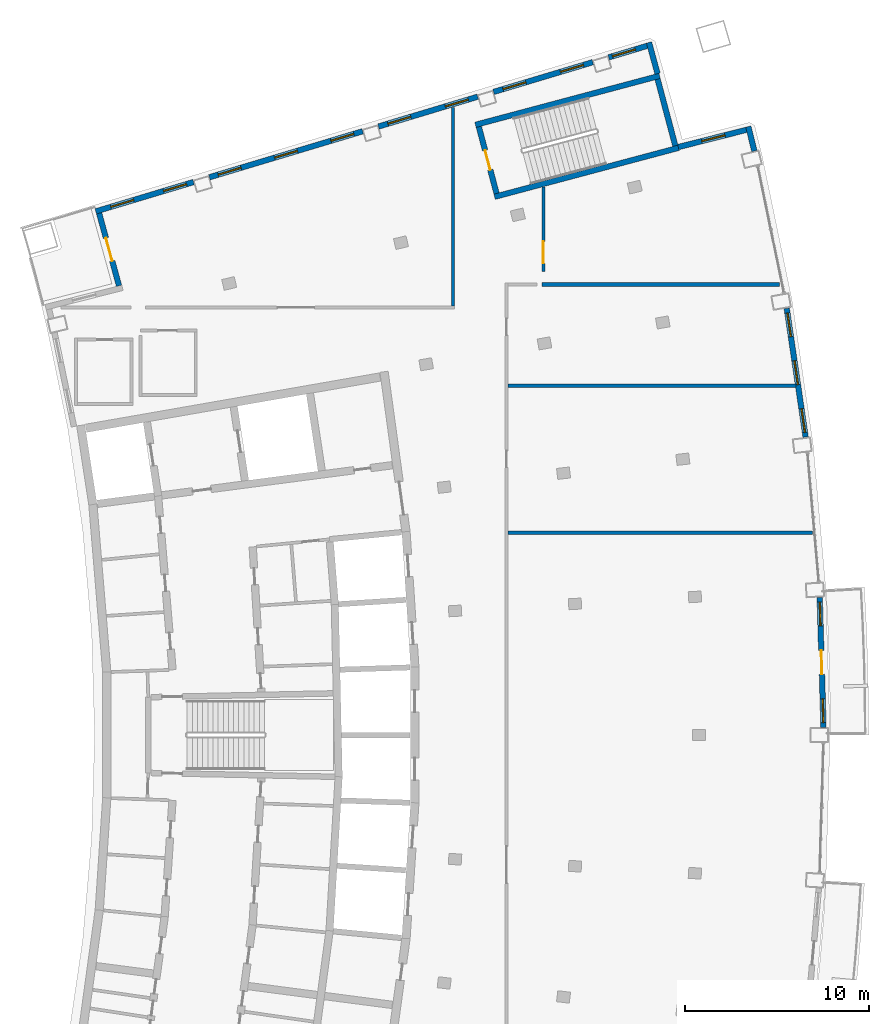
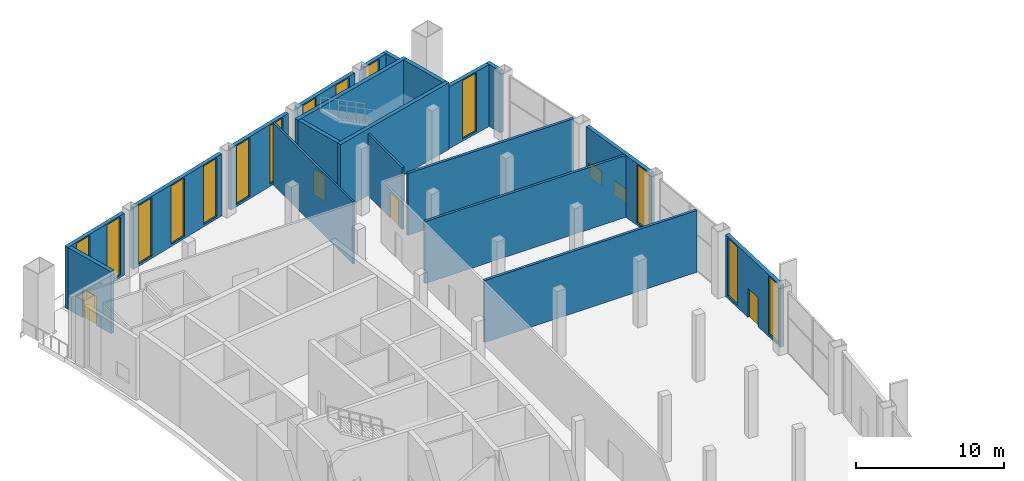
# One storey, part 10 of 13: 20 walls, 16 windows, 4 doors, 20 openings.
"""IFC4 building model written with IfcOpenShell, lengths in metres."""

from ifc_helpers import new_model, si_unit, direction, frame, frame_2d, origin, place, context, subcontext, project, spatial, rectangle, extrude, material, layer, layer_set, type_object, element, fill, save


model = new_model("IFC4")

# Units and contexts
model_context = context("Model", 3, precision=1e-05, world=origin(), true_north=direction((0.0, 1.0)))
body_context = subcontext(model_context, "Body", "Model", "MODEL_VIEW")
ifc_project = project(units=[si_unit("LENGTHUNIT", "METRE"), si_unit("AREAUNIT", "SQUARE_METRE"), si_unit("VOLUMEUNIT", "CUBIC_METRE"), si_unit("PLANEANGLEUNIT", "RADIAN"), si_unit("MASSUNIT", "GRAM", prefix="KILO")], contexts=[model_context])

# Site, building, storey
site_placement = place(None, origin())
site = spatial("IfcSite", under=ifc_project, at=site_placement, CompositionType="ELEMENT")
building_placement = place(site_placement, origin())
building = spatial("IfcBuilding", under=site, at=building_placement, Name="Alderwake Tower", CompositionType="ELEMENT")
storey_placement = place(building_placement, frame((0.0, 0.0, 304.5)))
storey = spatial("IfcBuildingStorey", under=building, at=storey_placement, Name="L74", CompositionType="ELEMENT", Elevation=304.5)

# Walls
ifc_material_1 = material(Name="Concrete C70/85", Category="concrete")
ifc_layer_1 = layer(ifc_material_1, 0.300048828125)
ifc_layer_set_1 = layer_set([ifc_layer_1], Name="Core wall stair enclosure 300 C70-85")
wall_type_1 = type_object("IfcWallType", Name="Core wall stair enclosure 300 C70-85", PredefinedType="SHEAR", material=ifc_layer_set_1)
for number, where, z_axis, x_axis, name in (
    (1, (36.71142578125, 94.182373046875, 0.0), (0.0, 0.0, 1.0), (0.966309214305, 0.257383958996, 0.0), "Core wall CW.082"),
    (2, (37.75390625, 90.268798828125, 0.0), (0.0, 0.0, 1.0), (0.966309214305, 0.257383958996, 0.0), "Core wall CW.084"),
):
    element("IfcWall", number, at=place(storey_placement, frame(where, z_axis=z_axis, x_axis=x_axis)), inside=storey, type_object=wall_type_1, Name=name, PredefinedType="SHEAR", context=body_context, shape_type="SweptSolid", body=[
        extrude(rectangle(XDim=10.360107421875, YDim=0.300048828125, at=frame_2d((5.18017578125, 0.0))), origin(), (0.0, 0.0, 1.0), 5.5),
    ])

# Wall, opening, door
wall_1_placement = place(storey_placement, frame((37.8603515625, 90.452392578125, 0.0), z_axis=(0.0, 0.0, 1.0), x_axis=(-0.257411420208, 0.966301899381, 0.0)))
wall_1 = element("IfcWall", 3, at=wall_1_placement, inside=storey, type_object=wall_type_1, Name="Core wall CW.083", PredefinedType="SHEAR", context=body_context, shape_type="SweptSolid", body=[
    extrude(rectangle(XDim=3.750244140625, YDim=0.300048828125, at=frame_2d((1.875, 0.0))), origin(), (0.0, 0.0, 1.0), 5.5),
])
opening_1_placement = place(wall_1_placement, frame((1.324951171875, 0.0, 0.0)))
opening_1 = element("IfcOpeningElement", 4, at=opening_1_placement, cuts=wall_1, Name="Opening C062", PredefinedType="OPENING", context=body_context, shape_type="SweptSolid", body=[
    extrude(rectangle(XDim=1.10009765625, YDim=2.10009765625, at=frame_2d((0.550048828125, 1.050048828125))), frame((0.0, 0.159912109375, 0.0), z_axis=(0.0, -1.0, 0.0), x_axis=(1.0, 0.0, 0.0)), (0.0, 0.0, 1.0), 0.320068359375),
])
ifc_material_2 = material(Name="Steel-framed fire door leaf", Category="steel")
door_type_1 = type_object("IfcDoorType", Name="Core stair door 1100 fire-rated", OperationType="SINGLE_SWING_LEFT", PredefinedType="DOOR", material=ifc_material_2)
door_1_placement = place(opening_1_placement, origin())
door_1 = element("IfcDoor", 5, at=door_1_placement, inside=storey, type_object=door_type_1, Name="Stair door", OperationType="SINGLE_SWING_RIGHT", OverallHeight=2.10009765625, OverallWidth=1.10009765625, PredefinedType="DOOR", context=body_context, shape_type="SweptSolid", body=[
    extrude(rectangle(XDim=1.10009765625, YDim=2.10009765625, at=frame_2d((0.550048828125, 1.050048828125))), frame((0.0, 0.02490234375, 0.0), z_axis=(0.0, -1.0, 0.0), x_axis=(1.0, 0.0, 0.0)), (0.0, 0.0, 1.0), 0.050048828125),
])
fill(opening_1, door_1)

# Walls
wall_2_placement = place(storey_placement, frame((47.581298828125, 93.041748046875, 0.0), z_axis=(0.0, 0.0, 1.0), x_axis=(-0.257366821694, 0.966313778796, 0.0)))
element("IfcWall", 6, at=wall_2_placement, inside=storey, type_object=wall_type_1, Name="Core wall CW.081", PredefinedType="SHEAR", context=body_context, shape_type="SweptSolid", body=[
    extrude(rectangle(XDim=3.749755859375, YDim=0.300048828125, at=frame_2d((1.875, 0.0))), origin(), (0.0, 0.0, 1.0), 5.5),
])
ifc_material_3 = material(Name="Gypsum board on metal studs, rated")
ifc_layer_2 = layer(ifc_material_3, 0.159912109375)
ifc_layer_set_2 = layer_set([ifc_layer_2], Name="Corridor wall 160")
wall_type_2 = type_object("IfcWallType", Name="Corridor wall 160", PredefinedType="PARTITIONING", material=ifc_layer_set_2)
wall_3_placement = place(storey_placement, frame((35.4990234375, 95.134033203125, 0.0), z_axis=(0.0, 0.0, 1.0), x_axis=(0.0, -1.0, 0.0)))
element("IfcWall", 7, at=wall_3_placement, inside=storey, type_object=wall_type_2, Name="WL/L74/W22", PredefinedType="PARTITIONING", context=body_context, shape_type="SweptSolid", body=[
    extrude(rectangle(XDim=10.804931640625, YDim=0.159912109375, at=frame_2d((5.40234375, 0.0))), origin(), (0.0, 0.0, 1.0), 5.10009765625),
])

# Wall, opening, door
wall_4_placement = place(storey_placement, frame((40.40087890625, 86.199951171875, 0.0), z_axis=(0.0, 0.0, 1.0), x_axis=(0.0, 1.0, 0.0)))
wall_4 = element("IfcWall", 8, at=wall_4_placement, inside=storey, type_object=wall_type_2, Name="WL/L74/W27", PredefinedType="PARTITIONING", context=body_context, shape_type="SweptSolid", body=[
    extrude(rectangle(XDim=4.59912109375, YDim=0.159912109375, at=frame_2d((2.299560546875, 0.0))), origin(), (0.0, 0.0, 1.0), 5.10009765625),
])
opening_2_placement = place(wall_4_placement, frame((0.449951171875, 0.0, 0.0)))
opening_2 = element("IfcOpeningElement", 9, at=opening_2_placement, cuts=wall_4, Name="Opening L74-06", PredefinedType="OPENING", context=body_context, shape_type="SweptSolid", body=[
    extrude(rectangle(XDim=1.199951171875, YDim=2.10009765625, at=frame_2d((0.60009765625, 1.050048828125))), frame((0.0, 0.08984375, 0.0), z_axis=(0.0, -1.0, 0.0), x_axis=(1.0, 0.0, 0.0)), (0.0, 0.0, 1.0), 0.179931640625),
])
ifc_material_4 = material(Name="Steel door leaf in steel frame", Category="steel")
door_type_2 = type_object("IfcDoorType", Name="Plant room door 1200 steel", OperationType="SINGLE_SWING_LEFT", PredefinedType="DOOR", material=ifc_material_4)
door_2_placement = place(opening_2_placement, origin())
door_2 = element("IfcDoor", 10, at=door_2_placement, inside=storey, type_object=door_type_2, Name="DR/L74/06", OperationType="SINGLE_SWING_LEFT", OverallHeight=2.10009765625, OverallWidth=1.199951171875, PredefinedType="DOOR", context=body_context, shape_type="SweptSolid", body=[
    extrude(rectangle(XDim=1.199951171875, YDim=2.10009765625, at=frame_2d((0.60009765625, 1.050048828125))), frame((0.0, 0.02490234375, 0.0), z_axis=(0.0, -1.0, 0.0), x_axis=(1.0, 0.0, 0.0)), (0.0, 0.0, 1.0), 0.050048828125),
])
fill(opening_2, door_2)

# Wall, openings, door, windows
ifc_material_5 = material(Name="Precast concrete C50/60 spandrel panel", Category="concrete")
ifc_layer_3 = layer(ifc_material_5, 0.300048828125)
ifc_layer_set_3 = layer_set([ifc_layer_3], Name="External wall EW1 Precast concrete C50/60 spandrel")
wall_type_3 = type_object("IfcWallType", Name="External wall EW1 Precast concrete C50/60 spandrel", PredefinedType="SOLIDWALL", material=ifc_layer_set_3)
wall_5_placement = place(storey_placement, frame((55.6376953125, 61.42138671875, 0.0), z_axis=(0.0, 0.0, 1.0), x_axis=(-0.029150386351, 0.999575037191, 0.0)))
wall_5 = element("IfcWall", 11, at=wall_5_placement, inside=storey, type_object=wall_type_3, Name="External wall 14", PredefinedType="SOLIDWALL", context=body_context, shape_type="SweptSolid", body=[
    extrude(rectangle(XDim=7.068603515625, YDim=0.300048828125, at=frame_2d((3.5341796875, 0.0))), origin(), (0.0, 0.0, 1.0), 5.10009765625),
])
opening_3_placement = place(wall_5_placement, frame((0.251708984375, 0.0, 0.199951171875)))
opening_3 = element("IfcOpeningElement", 12, at=opening_3_placement, cuts=wall_5, Name="Opening W3", PredefinedType="OPENING", context=body_context, shape_type="SweptSolid", body=[
    extrude(rectangle(XDim=1.300048828125, YDim=4.800048828125, at=frame_2d((0.64990234375, 2.39990234375))), frame((0.0, 0.159912109375, 0.0), z_axis=(0.0, -1.0, 0.0), x_axis=(1.0, 0.0, 0.0)), (0.0, 0.0, 1.0), 0.320068359375),
])
opening_4_placement = place(wall_5_placement, frame((2.88427734375, 0.0, 0.0)))
opening_4 = element("IfcOpeningElement", 13, at=opening_4_placement, cuts=wall_5, Name="Opening D03", PredefinedType="OPENING", context=body_context, shape_type="SweptSolid", body=[
    extrude(rectangle(XDim=1.300048828125, YDim=2.39990234375, at=frame_2d((0.64990234375, 1.199951171875))), frame((0.0, 0.159912109375, 0.0), z_axis=(0.0, -1.0, 0.0), x_axis=(1.0, 0.0, 0.0)), (0.0, 0.0, 1.0), 0.320068359375),
])
opening_5_placement = place(wall_5_placement, frame((5.5166015625, 0.0, 0.199951171875)))
opening_5 = element("IfcOpeningElement", 14, at=opening_5_placement, cuts=wall_5, Name="Opening W3", PredefinedType="OPENING", context=body_context, shape_type="SweptSolid", body=[
    extrude(rectangle(XDim=1.300048828125, YDim=4.800048828125, at=frame_2d((0.64990234375, 2.39990234375))), frame((0.0, 0.159912109375, 0.0), z_axis=(0.0, -1.0, 0.0), x_axis=(1.0, 0.0, 0.0)), (0.0, 0.0, 1.0), 0.320068359375),
])
ifc_material_6 = material(Name="Bronze tinted glass in aluminium frame", Category="aluminium")
door_type_3 = type_object("IfcDoorType", Name="Balcony door BD sliding", OperationType="SLIDING_TO_LEFT", PredefinedType="DOOR", material=ifc_material_6)
door_3_placement = place(opening_4_placement, origin())
door_3 = element("IfcDoor", 15, at=door_3_placement, inside=storey, type_object=door_type_3, Name="Door D03", OperationType="SLIDING_TO_LEFT", OverallHeight=2.39990234375, OverallWidth=1.300048828125, PredefinedType="DOOR", context=body_context, shape_type="SweptSolid", body=[
    extrude(rectangle(XDim=1.300048828125, YDim=2.39990234375, at=frame_2d((0.64990234375, 1.199951171875))), frame((0.0, 0.02490234375, 0.0), z_axis=(0.0, -1.0, 0.0), x_axis=(1.0, 0.0, 0.0)), (0.0, 0.0, 1.0), 0.050048828125),
])
fill(opening_4, door_3)
ifc_material_7 = material(Name="Bronze tinted glass in aluminium frame", Category="aluminium")
window_type_1 = type_object("IfcWindowType", Name="Window W3 amenity floor tall", PartitioningType="DOUBLE_PANEL_VERTICAL", PredefinedType="WINDOW", material=ifc_material_7)
window_1_placement = place(opening_3_placement, origin())
window_1 = element("IfcWindow", 16, at=window_1_placement, inside=storey, type_object=window_type_1, Name="Window W3 amenity floor tall", OverallHeight=4.800048828125, OverallWidth=1.300048828125, PartitioningType="DOUBLE_PANEL_VERTICAL", PredefinedType="WINDOW", context=body_context, shape_type="SweptSolid", body=[
    extrude(rectangle(XDim=1.300048828125, YDim=4.800048828125, at=frame_2d((0.64990234375, 2.39990234375))), frame((0.0, 0.030029296875, 0.0), z_axis=(0.0, -1.0, 0.0), x_axis=(1.0, 0.0, 0.0)), (0.0, 0.0, 1.0), 0.06005859375),
])
fill(opening_3, window_1)
window_2_placement = place(opening_5_placement, origin())
window_2 = element("IfcWindow", 17, at=window_2_placement, inside=storey, type_object=window_type_1, Name="Window W3 amenity floor tall", OverallHeight=4.800048828125, OverallWidth=1.300048828125, PartitioningType="DOUBLE_PANEL_VERTICAL", PredefinedType="WINDOW", context=body_context, shape_type="SweptSolid", body=[
    extrude(rectangle(XDim=1.300048828125, YDim=4.800048828125, at=frame_2d((0.64990234375, 2.39990234375))), frame((0.0, 0.030029296875, 0.0), z_axis=(0.0, -1.0, 0.0), x_axis=(1.0, 0.0, 0.0)), (0.0, 0.0, 1.0), 0.06005859375),
])
fill(opening_5, window_2)

# Wall, openings, windows
wall_6_placement = place(storey_placement, frame((54.66650390625, 77.207275390625, 0.0), z_axis=(0.0, 0.0, 1.0), x_axis=(-0.145313007309, 0.989385733628, 0.0)))
wall_6 = element("IfcWall", 18, at=wall_6_placement, inside=storey, type_object=wall_type_3, Name="External wall 15", PredefinedType="SOLIDWALL", context=body_context, shape_type="SweptSolid", body=[
    extrude(rectangle(XDim=7.068115234375, YDim=0.300048828125, at=frame_2d((3.5341796875, 0.0))), origin(), (0.0, 0.0, 1.0), 5.10009765625),
])
opening_6_placement = place(wall_6_placement, frame((0.251708984375, 0.0, 0.199951171875)))
opening_6 = element("IfcOpeningElement", 19, at=opening_6_placement, cuts=wall_6, Name="Opening W3", PredefinedType="OPENING", context=body_context, shape_type="SweptSolid", body=[
    extrude(rectangle(XDim=1.300048828125, YDim=4.800048828125, at=frame_2d((0.64990234375, 2.39990234375))), frame((0.0, 0.159912109375, 0.0), z_axis=(0.0, -1.0, 0.0), x_axis=(1.0, 0.0, 0.0)), (0.0, 0.0, 1.0), 0.320068359375),
])
opening_7_placement = place(wall_6_placement, frame((2.88427734375, 0.0, 1.0)))
opening_7 = element("IfcOpeningElement", 20, at=opening_7_placement, cuts=wall_6, Name="Opening W2", PredefinedType="OPENING", context=body_context, shape_type="SweptSolid", body=[
    extrude(rectangle(XDim=1.300048828125, YDim=1.199951171875, at=frame_2d((0.64990234375, 0.60009765625))), frame((0.0, 0.159912109375, 0.0), z_axis=(0.0, -1.0, 0.0), x_axis=(1.0, 0.0, 0.0)), (0.0, 0.0, 1.0), 0.320068359375),
])
opening_8_placement = place(wall_6_placement, frame((5.5166015625, 0.0, 1.0)))
opening_8 = element("IfcOpeningElement", 21, at=opening_8_placement, cuts=wall_6, Name="Opening W2", PredefinedType="OPENING", context=body_context, shape_type="SweptSolid", body=[
    extrude(rectangle(XDim=1.300048828125, YDim=1.199951171875, at=frame_2d((0.64990234375, 0.60009765625))), frame((0.0, 0.159912109375, 0.0), z_axis=(0.0, -1.0, 0.0), x_axis=(1.0, 0.0, 0.0)), (0.0, 0.0, 1.0), 0.320068359375),
])
ifc_material_8 = material(Name="Bronze tinted glass in aluminium frame", Category="aluminium")
window_type_2 = type_object("IfcWindowType", Name="Window W2 kitchen and bath", PartitioningType="SINGLE_PANEL", PredefinedType="WINDOW", material=ifc_material_8)
window_3_placement = place(opening_7_placement, origin())
window_3 = element("IfcWindow", 22, at=window_3_placement, inside=storey, type_object=window_type_2, Name="Window W2 kitchen and bath", OverallHeight=1.199951171875, OverallWidth=1.300048828125, PartitioningType="SINGLE_PANEL", PredefinedType="WINDOW", context=body_context, shape_type="SweptSolid", body=[
    extrude(rectangle(XDim=1.300048828125, YDim=1.199951171875, at=frame_2d((0.64990234375, 0.60009765625))), frame((0.0, 0.030029296875, 0.0), z_axis=(0.0, -1.0, 0.0), x_axis=(1.0, 0.0, 0.0)), (0.0, 0.0, 1.0), 0.06005859375),
])
fill(opening_7, window_3)
window_4_placement = place(opening_8_placement, origin())
window_4 = element("IfcWindow", 23, at=window_4_placement, inside=storey, type_object=window_type_2, Name="Window W2 kitchen and bath", OverallHeight=1.199951171875, OverallWidth=1.300048828125, PartitioningType="SINGLE_PANEL", PredefinedType="WINDOW", context=body_context, shape_type="SweptSolid", body=[
    extrude(rectangle(XDim=1.300048828125, YDim=1.199951171875, at=frame_2d((0.64990234375, 0.60009765625))), frame((0.0, 0.030029296875, 0.0), z_axis=(0.0, -1.0, 0.0), x_axis=(1.0, 0.0, 0.0)), (0.0, 0.0, 1.0), 0.06005859375),
])
fill(opening_8, window_4)
window_5_placement = place(opening_6_placement, origin())
window_5 = element("IfcWindow", 24, at=window_5_placement, inside=storey, type_object=window_type_1, Name="Window W3 amenity floor tall", OverallHeight=4.800048828125, OverallWidth=1.300048828125, PartitioningType="DOUBLE_PANEL_VERTICAL", PredefinedType="WINDOW", context=body_context, shape_type="SweptSolid", body=[
    extrude(rectangle(XDim=1.300048828125, YDim=4.800048828125, at=frame_2d((0.64990234375, 2.39990234375))), frame((0.0, 0.030029296875, 0.0), z_axis=(0.0, -1.0, 0.0), x_axis=(1.0, 0.0, 0.0)), (0.0, 0.0, 1.0), 0.06005859375),
])
fill(opening_6, window_5)

# Wall
wall_7_placement = place(storey_placement, frame((51.87744140625, 92.759033203125, 0.0), z_axis=(0.0, 0.0, 1.0), x_axis=(-0.238306983732, 0.971189879223, 0.0)))
element("IfcWall", 25, at=wall_7_placement, inside=storey, type_object=wall_type_3, Name="External wall 16", PredefinedType="SOLIDWALL", context=body_context, shape_type="SweptSolid", body=[
    extrude(rectangle(XDim=1.372802734375, YDim=0.300048828125, at=frame_2d((0.6865234375, 0.0))), origin(), (0.0, 0.0, 1.0), 5.10009765625),
])

# Wall, opening, window
ifc_material_9 = material(Name="Bronze metal cladding on lightweight framing")
ifc_layer_4 = layer(ifc_material_9, 0.300048828125)
ifc_layer_set_4 = layer_set([ifc_layer_4], Name="External wall EW2 bronze metal cladding")
wall_type_4 = type_object("IfcWallType", Name="External wall EW2 bronze metal cladding", PredefinedType="SOLIDWALL", material=ifc_layer_set_4)
wall_8_placement = place(storey_placement, frame((51.440673828125, 93.909912109375, 0.0), z_axis=(0.0, 0.0, 1.0), x_axis=(-0.969419457145, -0.245409690332, 0.0)))
wall_8 = element("IfcWall", 26, at=wall_8_placement, inside=storey, type_object=wall_type_4, Name="External wall 17", PredefinedType="SOLIDWALL", context=body_context, shape_type="SweptSolid", body=[
    extrude(rectangle(XDim=3.816162109375, YDim=0.300048828125, at=frame_2d((1.908203125, 0.0))), origin(), (0.0, 0.0, 1.0), 5.10009765625),
])
opening_9_placement = place(wall_8_placement, frame((1.197021484375, 0.0, 0.199951171875)))
opening_9 = element("IfcOpeningElement", 27, at=opening_9_placement, cuts=wall_8, Name="Opening W3", PredefinedType="OPENING", context=body_context, shape_type="SweptSolid", body=[
    extrude(rectangle(XDim=1.300048828125, YDim=4.800048828125, at=frame_2d((0.64990234375, 2.39990234375))), frame((0.0, 0.159912109375, 0.0), z_axis=(0.0, -1.0, 0.0), x_axis=(1.0, 0.0, 0.0)), (0.0, 0.0, 1.0), 0.320068359375),
])
window_6_placement = place(opening_9_placement, origin())
window_6 = element("IfcWindow", 28, at=window_6_placement, inside=storey, type_object=window_type_1, Name="Window W3 amenity floor tall", OverallHeight=4.800048828125, OverallWidth=1.300048828125, PartitioningType="DOUBLE_PANEL_VERTICAL", PredefinedType="WINDOW", context=body_context, shape_type="SweptSolid", body=[
    extrude(rectangle(XDim=1.300048828125, YDim=4.800048828125, at=frame_2d((0.64990234375, 2.39990234375))), frame((0.0, 0.030029296875, 0.0), z_axis=(0.0, -1.0, 0.0), x_axis=(1.0, 0.0, 0.0)), (0.0, 0.0, 1.0), 0.06005859375),
])
fill(opening_9, window_6)

# Wall
wall_9_placement = place(storey_placement, frame((46.615478515625, 96.96142578125, 0.0), z_axis=(0.0, 0.0, 1.0), x_axis=(-0.265011891163, 0.964245143904, 0.0)))
element("IfcWall", 29, at=wall_9_placement, inside=storey, type_object=wall_type_4, Name="External wall 18", PredefinedType="SOLIDWALL", context=body_context, shape_type="SweptSolid", body=[
    extrude(rectangle(XDim=1.76611328125, YDim=0.300048828125, at=frame_2d((0.883056640625, 0.0))), origin(), (0.0, 0.0, 1.0), 5.10009765625),
])

# Wall, opening, window
wall_10_placement = place(storey_placement, frame((46.043701171875, 98.4765625, 0.0), z_axis=(0.0, 0.0, 1.0), x_axis=(-0.957743012987, -0.287625313689, 0.0)))
wall_10 = element("IfcWall", 30, at=wall_10_placement, inside=storey, type_object=wall_type_4, Name="External wall 19", PredefinedType="SOLIDWALL", context=body_context, shape_type="SweptSolid", body=[
    extrude(rectangle(XDim=2.1796875, YDim=0.300048828125, at=frame_2d((1.08984375, 0.0))), origin(), (0.0, 0.0, 1.0), 5.10009765625),
])
opening_10_placement = place(wall_10_placement, frame((0.665771484375, 0.0, 0.199951171875)))
opening_10 = element("IfcOpeningElement", 31, at=opening_10_placement, cuts=wall_10, Name="Opening W3", PredefinedType="OPENING", context=body_context, shape_type="SweptSolid", body=[
    extrude(rectangle(XDim=1.300048828125, YDim=4.800048828125, at=frame_2d((0.64990234375, 2.39990234375))), frame((0.0, 0.159912109375, 0.0), z_axis=(0.0, -1.0, 0.0), x_axis=(1.0, 0.0, 0.0)), (0.0, 0.0, 1.0), 0.320068359375),
])
window_7_placement = place(opening_10_placement, origin())
window_7 = element("IfcWindow", 32, at=window_7_placement, inside=storey, type_object=window_type_1, Name="Window W3 amenity floor tall", OverallHeight=4.800048828125, OverallWidth=1.300048828125, PartitioningType="DOUBLE_PANEL_VERTICAL", PredefinedType="WINDOW", context=body_context, shape_type="SweptSolid", body=[
    extrude(rectangle(XDim=1.300048828125, YDim=4.800048828125, at=frame_2d((0.64990234375, 2.39990234375))), frame((0.0, 0.030029296875, 0.0), z_axis=(0.0, -1.0, 0.0), x_axis=(1.0, 0.0, 0.0)), (0.0, 0.0, 1.0), 0.06005859375),
])
fill(opening_10, window_7)

# Wall, openings, windows
wall_11_placement = place(storey_placement, frame((43.0908203125, 97.590087890625, 0.0), z_axis=(0.0, 0.0, 1.0), x_axis=(-0.957755841517, -0.287582593423, 0.0)))
wall_11 = element("IfcWall", 33, at=wall_11_placement, inside=storey, type_object=wall_type_4, Name="External wall 20", PredefinedType="SOLIDWALL", context=body_context, shape_type="SweptSolid", body=[
    extrude(rectangle(XDim=5.630126953125, YDim=0.300048828125, at=frame_2d((2.81494140625, 0.0))), origin(), (0.0, 0.0, 1.0), 5.10009765625),
])
opening_11_placement = place(wall_11_placement, frame((0.53173828125, 0.0, 0.199951171875)))
opening_11 = element("IfcOpeningElement", 34, at=opening_11_placement, cuts=wall_11, Name="Opening W3", PredefinedType="OPENING", context=body_context, shape_type="SweptSolid", body=[
    extrude(rectangle(XDim=1.300048828125, YDim=4.800048828125, at=frame_2d((0.64990234375, 2.39990234375))), frame((0.0, 0.159912109375, 0.0), z_axis=(0.0, -1.0, 0.0), x_axis=(1.0, 0.0, 0.0)), (0.0, 0.0, 1.0), 0.320068359375),
])
opening_12_placement = place(wall_11_placement, frame((3.798583984375, 0.0, 0.199951171875)))
opening_12 = element("IfcOpeningElement", 35, at=opening_12_placement, cuts=wall_11, Name="Opening W3", PredefinedType="OPENING", context=body_context, shape_type="SweptSolid", body=[
    extrude(rectangle(XDim=1.300048828125, YDim=4.800048828125, at=frame_2d((0.64990234375, 2.39990234375))), frame((0.0, 0.159912109375, 0.0), z_axis=(0.0, -1.0, 0.0), x_axis=(1.0, 0.0, 0.0)), (0.0, 0.0, 1.0), 0.320068359375),
])
window_8_placement = place(opening_11_placement, origin())
window_8 = element("IfcWindow", 36, at=window_8_placement, inside=storey, type_object=window_type_1, Name="Window W3 amenity floor tall", OverallHeight=4.800048828125, OverallWidth=1.300048828125, PartitioningType="DOUBLE_PANEL_VERTICAL", PredefinedType="WINDOW", context=body_context, shape_type="SweptSolid", body=[
    extrude(rectangle(XDim=1.300048828125, YDim=4.800048828125, at=frame_2d((0.64990234375, 2.39990234375))), frame((0.0, 0.030029296875, 0.0), z_axis=(0.0, -1.0, 0.0), x_axis=(1.0, 0.0, 0.0)), (0.0, 0.0, 1.0), 0.06005859375),
])
fill(opening_11, window_8)
window_9_placement = place(opening_12_placement, origin())
window_9 = element("IfcWindow", 37, at=window_9_placement, inside=storey, type_object=window_type_1, Name="Window W3 amenity floor tall", OverallHeight=4.800048828125, OverallWidth=1.300048828125, PartitioningType="DOUBLE_PANEL_VERTICAL", PredefinedType="WINDOW", context=body_context, shape_type="SweptSolid", body=[
    extrude(rectangle(XDim=1.300048828125, YDim=4.800048828125, at=frame_2d((0.64990234375, 2.39990234375))), frame((0.0, 0.030029296875, 0.0), z_axis=(0.0, -1.0, 0.0), x_axis=(1.0, 0.0, 0.0)), (0.0, 0.0, 1.0), 0.06005859375),
])
fill(opening_12, window_9)

wall_12_placement = place(storey_placement, frame((36.833251953125, 95.711181640625, 0.0), z_axis=(0.0, 0.0, 1.0), x_axis=(-0.957764198898, -0.287554758802, 0.0)))
wall_12 = element("IfcWall", 38, at=wall_12_placement, inside=storey, type_object=wall_type_4, Name="External wall 21", PredefinedType="SOLIDWALL", context=body_context, shape_type="SweptSolid", body=[
    extrude(rectangle(XDim=5.6298828125, YDim=0.300048828125, at=frame_2d((2.81494140625, 0.0))), origin(), (0.0, 0.0, 1.0), 5.10009765625),
])
opening_13_placement = place(wall_12_placement, frame((0.531494140625, 0.0, 0.199951171875)))
opening_13 = element("IfcOpeningElement", 39, at=opening_13_placement, cuts=wall_12, Name="Opening W3", PredefinedType="OPENING", context=body_context, shape_type="SweptSolid", body=[
    extrude(rectangle(XDim=1.300048828125, YDim=4.800048828125, at=frame_2d((0.64990234375, 2.39990234375))), frame((0.0, 0.159912109375, 0.0), z_axis=(0.0, -1.0, 0.0), x_axis=(1.0, 0.0, 0.0)), (0.0, 0.0, 1.0), 0.320068359375),
])
opening_14_placement = place(wall_12_placement, frame((3.79833984375, 0.0, 0.199951171875)))
opening_14 = element("IfcOpeningElement", 40, at=opening_14_placement, cuts=wall_12, Name="Opening W3", PredefinedType="OPENING", context=body_context, shape_type="SweptSolid", body=[
    extrude(rectangle(XDim=1.300048828125, YDim=4.800048828125, at=frame_2d((0.64990234375, 2.39990234375))), frame((0.0, 0.159912109375, 0.0), z_axis=(0.0, -1.0, 0.0), x_axis=(1.0, 0.0, 0.0)), (0.0, 0.0, 1.0), 0.320068359375),
])
window_10_placement = place(opening_13_placement, origin())
window_10 = element("IfcWindow", 41, at=window_10_placement, inside=storey, type_object=window_type_1, Name="Window W3 amenity floor tall", OverallHeight=4.800048828125, OverallWidth=1.300048828125, PartitioningType="DOUBLE_PANEL_VERTICAL", PredefinedType="WINDOW", context=body_context, shape_type="SweptSolid", body=[
    extrude(rectangle(XDim=1.300048828125, YDim=4.800048828125, at=frame_2d((0.64990234375, 2.39990234375))), frame((0.0, 0.030029296875, 0.0), z_axis=(0.0, -1.0, 0.0), x_axis=(1.0, 0.0, 0.0)), (0.0, 0.0, 1.0), 0.06005859375),
])
fill(opening_13, window_10)
window_11_placement = place(opening_14_placement, origin())
window_11 = element("IfcWindow", 42, at=window_11_placement, inside=storey, type_object=window_type_1, Name="Window W3 amenity floor tall", OverallHeight=4.800048828125, OverallWidth=1.300048828125, PartitioningType="DOUBLE_PANEL_VERTICAL", PredefinedType="WINDOW", context=body_context, shape_type="SweptSolid", body=[
    extrude(rectangle(XDim=1.300048828125, YDim=4.800048828125, at=frame_2d((0.64990234375, 2.39990234375))), frame((0.0, 0.030029296875, 0.0), z_axis=(0.0, -1.0, 0.0), x_axis=(1.0, 0.0, 0.0)), (0.0, 0.0, 1.0), 0.06005859375),
])
fill(opening_14, window_11)

wall_13_placement = place(storey_placement, frame((30.57568359375, 93.83251953125, 0.0), z_axis=(0.0, 0.0, 1.0), x_axis=(-0.957762902908, -0.287559075345, 0.0)))
wall_13 = element("IfcWall", 43, at=wall_13_placement, inside=storey, type_object=wall_type_4, Name="External wall 22", PredefinedType="SOLIDWALL", context=body_context, shape_type="SweptSolid", body=[
    extrude(rectangle(XDim=8.696533203125, YDim=0.300048828125, at=frame_2d((4.34814453125, 0.0))), origin(), (0.0, 0.0, 1.0), 5.10009765625),
])
opening_15_placement = place(wall_13_placement, frame((0.498291015625, 0.0, 0.199951171875)))
opening_15 = element("IfcOpeningElement", 44, at=opening_15_placement, cuts=wall_13, Name="Opening W3", PredefinedType="OPENING", context=body_context, shape_type="SweptSolid", body=[
    extrude(rectangle(XDim=1.300048828125, YDim=4.800048828125, at=frame_2d((0.64990234375, 2.39990234375))), frame((0.0, 0.159912109375, 0.0), z_axis=(0.0, -1.0, 0.0), x_axis=(1.0, 0.0, 0.0)), (0.0, 0.0, 1.0), 0.320068359375),
])
opening_16_placement = place(wall_13_placement, frame((3.6982421875, 0.0, 0.199951171875)))
opening_16 = element("IfcOpeningElement", 45, at=opening_16_placement, cuts=wall_13, Name="Opening W3", PredefinedType="OPENING", context=body_context, shape_type="SweptSolid", body=[
    extrude(rectangle(XDim=1.300048828125, YDim=4.800048828125, at=frame_2d((0.64990234375, 2.39990234375))), frame((0.0, 0.159912109375, 0.0), z_axis=(0.0, -1.0, 0.0), x_axis=(1.0, 0.0, 0.0)), (0.0, 0.0, 1.0), 0.320068359375),
])
opening_17_placement = place(wall_13_placement, frame((6.898193359375, 0.0, 0.199951171875)))
opening_17 = element("IfcOpeningElement", 46, at=opening_17_placement, cuts=wall_13, Name="Opening W3", PredefinedType="OPENING", context=body_context, shape_type="SweptSolid", body=[
    extrude(rectangle(XDim=1.300048828125, YDim=4.800048828125, at=frame_2d((0.64990234375, 2.39990234375))), frame((0.0, 0.159912109375, 0.0), z_axis=(0.0, -1.0, 0.0), x_axis=(1.0, 0.0, 0.0)), (0.0, 0.0, 1.0), 0.320068359375),
])
window_12_placement = place(opening_15_placement, origin())
window_12 = element("IfcWindow", 47, at=window_12_placement, inside=storey, type_object=window_type_1, Name="Window W3 amenity floor tall", OverallHeight=4.800048828125, OverallWidth=1.300048828125, PartitioningType="DOUBLE_PANEL_VERTICAL", PredefinedType="WINDOW", context=body_context, shape_type="SweptSolid", body=[
    extrude(rectangle(XDim=1.300048828125, YDim=4.800048828125, at=frame_2d((0.64990234375, 2.39990234375))), frame((0.0, 0.030029296875, 0.0), z_axis=(0.0, -1.0, 0.0), x_axis=(1.0, 0.0, 0.0)), (0.0, 0.0, 1.0), 0.06005859375),
])
fill(opening_15, window_12)
window_13_placement = place(opening_16_placement, origin())
window_13 = element("IfcWindow", 48, at=window_13_placement, inside=storey, type_object=window_type_1, Name="Window W3 amenity floor tall", OverallHeight=4.800048828125, OverallWidth=1.300048828125, PartitioningType="DOUBLE_PANEL_VERTICAL", PredefinedType="WINDOW", context=body_context, shape_type="SweptSolid", body=[
    extrude(rectangle(XDim=1.300048828125, YDim=4.800048828125, at=frame_2d((0.64990234375, 2.39990234375))), frame((0.0, 0.030029296875, 0.0), z_axis=(0.0, -1.0, 0.0), x_axis=(1.0, 0.0, 0.0)), (0.0, 0.0, 1.0), 0.06005859375),
])
fill(opening_16, window_13)
window_14_placement = place(opening_17_placement, origin())
window_14 = element("IfcWindow", 49, at=window_14_placement, inside=storey, type_object=window_type_1, Name="Window W3 amenity floor tall", OverallHeight=4.800048828125, OverallWidth=1.300048828125, PartitioningType="DOUBLE_PANEL_VERTICAL", PredefinedType="WINDOW", context=body_context, shape_type="SweptSolid", body=[
    extrude(rectangle(XDim=1.300048828125, YDim=4.800048828125, at=frame_2d((0.64990234375, 2.39990234375))), frame((0.0, 0.030029296875, 0.0), z_axis=(0.0, -1.0, 0.0), x_axis=(1.0, 0.0, 0.0)), (0.0, 0.0, 1.0), 0.06005859375),
])
fill(opening_17, window_14)

wall_14_placement = place(storey_placement, frame((21.380859375, 91.072021484375, 0.0), z_axis=(0.0, 0.0, 1.0), x_axis=(-0.957769358194, -0.287537574074, 0.0)))
wall_14 = element("IfcWall", 50, at=wall_14_placement, inside=storey, type_object=wall_type_4, Name="External wall 23", PredefinedType="SOLIDWALL", context=body_context, shape_type="SweptSolid", body=[
    extrude(rectangle(XDim=5.549560546875, YDim=0.300048828125, at=frame_2d((2.77490234375, 0.0))), origin(), (0.0, 0.0, 1.0), 5.10009765625),
])
opening_18_placement = place(wall_14_placement, frame((0.3984375, 0.0, 0.199951171875)))
opening_18 = element("IfcOpeningElement", 51, at=opening_18_placement, cuts=wall_14, Name="Opening W3", PredefinedType="OPENING", context=body_context, shape_type="SweptSolid", body=[
    extrude(rectangle(XDim=1.300048828125, YDim=4.800048828125, at=frame_2d((0.64990234375, 2.39990234375))), frame((0.0, 0.159912109375, 0.0), z_axis=(0.0, -1.0, 0.0), x_axis=(1.0, 0.0, 0.0)), (0.0, 0.0, 1.0), 0.320068359375),
])
opening_19_placement = place(wall_14_placement, frame((3.399169921875, 0.0, 0.199951171875)))
opening_19 = element("IfcOpeningElement", 52, at=opening_19_placement, cuts=wall_14, Name="Opening W3", PredefinedType="OPENING", context=body_context, shape_type="SweptSolid", body=[
    extrude(rectangle(XDim=1.300048828125, YDim=4.800048828125, at=frame_2d((0.64990234375, 2.39990234375))), frame((0.0, 0.159912109375, 0.0), z_axis=(0.0, -1.0, 0.0), x_axis=(1.0, 0.0, 0.0)), (0.0, 0.0, 1.0), 0.320068359375),
])
window_15_placement = place(opening_18_placement, origin())
window_15 = element("IfcWindow", 53, at=window_15_placement, inside=storey, type_object=window_type_1, Name="Window W3 amenity floor tall", OverallHeight=4.800048828125, OverallWidth=1.300048828125, PartitioningType="DOUBLE_PANEL_VERTICAL", PredefinedType="WINDOW", context=body_context, shape_type="SweptSolid", body=[
    extrude(rectangle(XDim=1.300048828125, YDim=4.800048828125, at=frame_2d((0.64990234375, 2.39990234375))), frame((0.0, 0.030029296875, 0.0), z_axis=(0.0, -1.0, 0.0), x_axis=(1.0, 0.0, 0.0)), (0.0, 0.0, 1.0), 0.06005859375),
])
fill(opening_18, window_15)
window_16_placement = place(opening_19_placement, origin())
window_16 = element("IfcWindow", 54, at=window_16_placement, inside=storey, type_object=window_type_1, Name="Window W3 amenity floor tall", OverallHeight=4.800048828125, OverallWidth=1.300048828125, PartitioningType="DOUBLE_PANEL_VERTICAL", PredefinedType="WINDOW", context=body_context, shape_type="SweptSolid", body=[
    extrude(rectangle(XDim=1.300048828125, YDim=4.800048828125, at=frame_2d((0.64990234375, 2.39990234375))), frame((0.0, 0.030029296875, 0.0), z_axis=(0.0, -1.0, 0.0), x_axis=(1.0, 0.0, 0.0)), (0.0, 0.0, 1.0), 0.06005859375),
])
fill(opening_19, window_16)

# Wall, opening, door
wall_15_placement = place(storey_placement, frame((16.248779296875, 89.374755859375, 0.0), z_axis=(0.0, 0.0, 1.0), x_axis=(0.264607053468, -0.964356317579, 0.0)))
wall_15 = element("IfcWall", 55, at=wall_15_placement, inside=storey, type_object=wall_type_4, Name="External wall 24", PredefinedType="SOLIDWALL", context=body_context, shape_type="SweptSolid", body=[
    extrude(rectangle(XDim=4.090087890625, YDim=0.300048828125, at=frame_2d((2.044921875, 0.0))), origin(), (0.0, 0.0, 1.0), 5.10009765625),
])
opening_20_placement = place(wall_15_placement, frame((1.39501953125, 0.0, 0.0)))
opening_20 = element("IfcOpeningElement", 56, at=opening_20_placement, cuts=wall_15, Name="Opening D04", PredefinedType="OPENING", context=body_context, shape_type="SweptSolid", body=[
    extrude(rectangle(XDim=1.300048828125, YDim=2.39990234375, at=frame_2d((0.64990234375, 1.199951171875))), frame((0.0, 0.159912109375, 0.0), z_axis=(0.0, -1.0, 0.0), x_axis=(1.0, 0.0, 0.0)), (0.0, 0.0, 1.0), 0.320068359375),
])
door_4_placement = place(opening_20_placement, origin())
door_4 = element("IfcDoor", 57, at=door_4_placement, inside=storey, type_object=door_type_3, Name="Door D04", OperationType="SLIDING_TO_LEFT", OverallHeight=2.39990234375, OverallWidth=1.300048828125, PredefinedType="DOOR", context=body_context, shape_type="SweptSolid", body=[
    extrude(rectangle(XDim=1.300048828125, YDim=2.39990234375, at=frame_2d((0.64990234375, 1.199951171875))), frame((0.0, 0.02490234375, 0.0), z_axis=(0.0, -1.0, 0.0), x_axis=(1.0, 0.0, 0.0)), (0.0, 0.0, 1.0), 0.050048828125),
])
fill(opening_20, door_4)

# Walls
ifc_material_10 = material(Name="Dense block masonry wall", Category="masonry")
ifc_layer_5 = layer(ifc_material_10, 0.199951171875)
ifc_layer_set_5 = layer_set([ifc_layer_5], Name="Party wall 200")
wall_type_5 = type_object("IfcWallType", Name="Party wall 200", PredefinedType="SOLIDWALL", material=ifc_layer_set_5)
wall_16_placement = place(storey_placement, frame((53.251953125, 85.5, 0.0), z_axis=(0.0, 0.0, 1.0), x_axis=(-1.0, 0.0, 0.0)))
element("IfcWall", 58, at=wall_16_placement, inside=storey, type_object=wall_type_5, Name="WL/L74/W02", PredefinedType="SOLIDWALL", context=body_context, shape_type="SweptSolid", body=[
    extrude(rectangle(XDim=12.930908203125, YDim=0.199951171875, at=frame_2d((6.46533203125, 0.0))), origin(), (0.0, 0.0, 1.0), 5.10009765625),
])
wall_17_placement = place(storey_placement, frame((54.14892578125, 80.0009765625, 0.0), z_axis=(0.0, 0.0, 1.0), x_axis=(-1.0, 0.0, 0.0)))
element("IfcWall", 59, at=wall_17_placement, inside=storey, type_object=wall_type_5, Name="WL/L74/W03", PredefinedType="SOLIDWALL", context=body_context, shape_type="SweptSolid", body=[
    extrude(rectangle(XDim=15.6689453125, YDim=0.199951171875, at=frame_2d((7.83447265625, 0.0))), origin(), (0.0, 0.0, 1.0), 5.10009765625),
])
wall_18_placement = place(storey_placement, frame((55.0400390625, 72.0, 0.0), z_axis=(0.0, 0.0, 1.0), x_axis=(-1.0, 0.0, 0.0)))
element("IfcWall", 60, at=wall_18_placement, inside=storey, type_object=wall_type_5, Name="WL/L74/W04", PredefinedType="SOLIDWALL", context=body_context, shape_type="SweptSolid", body=[
    extrude(rectangle(XDim=16.56005859375, YDim=0.199951171875, at=frame_2d((8.280029296875, 0.0))), origin(), (0.0, 0.0, 1.0), 5.10009765625),
])

save(model, "model.ifc")
